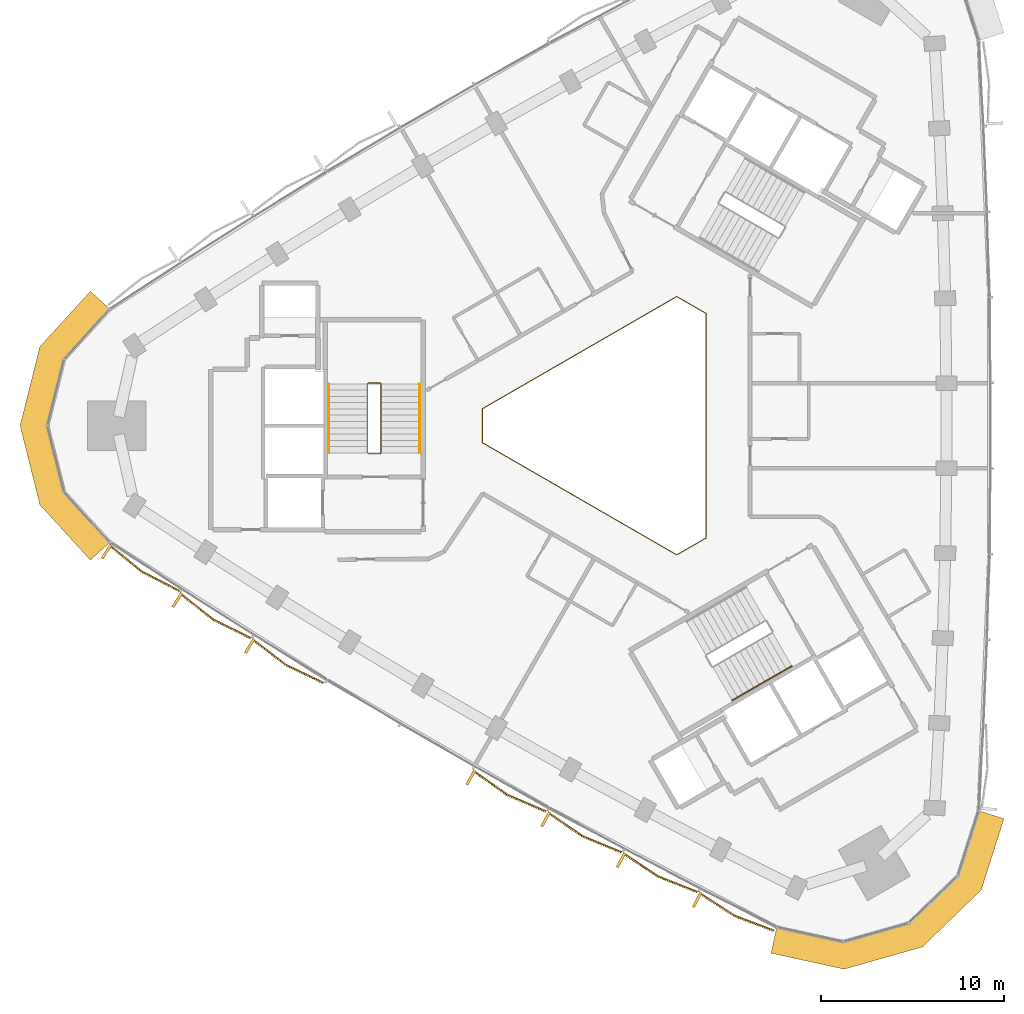
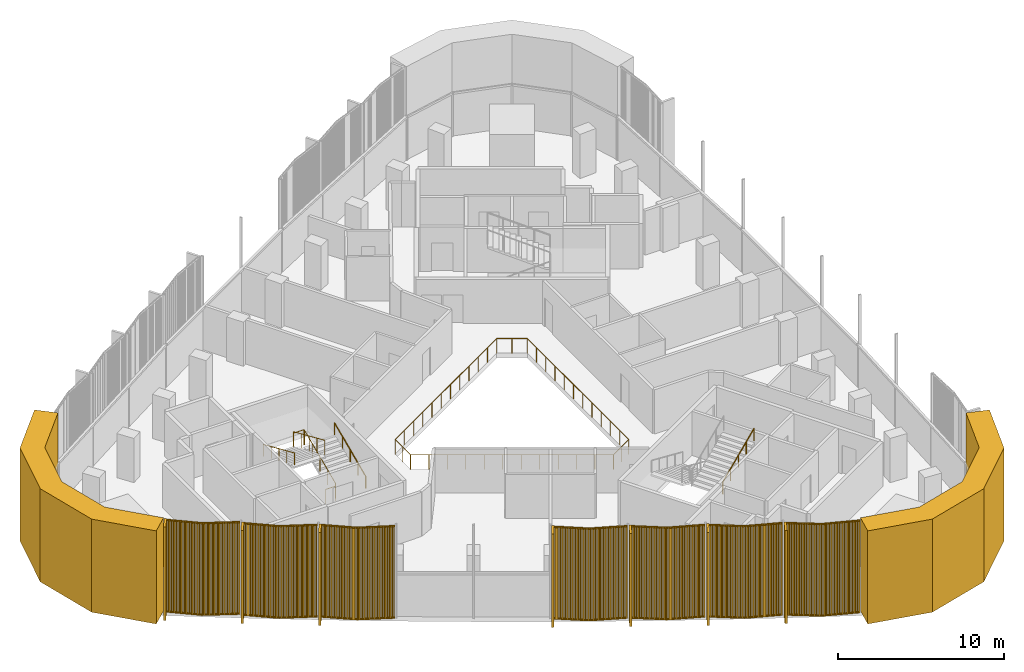
# One storey, part 11 of 13: 9 coverings, 5 railings.
"""IFC4 building model written with IfcOpenShell, lengths in metres."""

from ifc_helpers import new_model, si_unit, direction, frame, frame_2d, origin, origin_2d, place, context, subcontext, project, spatial, polyline, rectangle, circle, outline, extrude, source, transform, mapped, material, layer, layer_set, type_object, element, save


model = new_model("IFC4")

# Units and contexts
model_context = context("Model", 3, precision=1e-05, world=origin(), true_north=direction((0.0, 1.0)))
body_context = subcontext(model_context, "Body", "Model", "MODEL_VIEW")
ifc_project = project(units=[si_unit("LENGTHUNIT", "METRE"), si_unit("AREAUNIT", "SQUARE_METRE"), si_unit("VOLUMEUNIT", "CUBIC_METRE"), si_unit("PLANEANGLEUNIT", "RADIAN"), si_unit("MASSUNIT", "GRAM", prefix="KILO")], contexts=[model_context])

# Site, building, storey
site_placement = place(None, origin())
site = spatial("IfcSite", under=ifc_project, at=site_placement, CompositionType="ELEMENT")
building_placement = place(site_placement, origin())
building = spatial("IfcBuilding", under=site, at=building_placement, Name="Tamra Quay Hotel Tower", CompositionType="ELEMENT")
storey_placement = place(building_placement, frame((0.0, 0.0, 186.39990234375)))
storey = spatial("IfcBuildingStorey", under=building, at=storey_placement, Name="L46", CompositionType="ELEMENT", Elevation=186.39990234375)

# Coverings
ifc_material_1 = material(Name="Precast concrete M60 terracotta-coloured", Category="masonry")
ifc_layer = layer(ifc_material_1, 1.449951171875)
ifc_layer_set = layer_set([ifc_layer], Name="CORNER PIER PANEL")
covering_type_1 = type_object("IfcCoveringType", Name="CORNER PIER PANEL", PredefinedType="CLADDING", material=ifc_layer_set)
covering_1_placement = place(storey_placement, origin())
element("IfcCovering", 1, at=covering_1_placement, inside=storey, type_object=covering_type_1, Name="Corner pier L46.north-west", PredefinedType="CLADDING", context=body_context, shape_type="SweptSolid", body=[
    extrude(outline(polyline([(-27.928955078125, 6.36376953125), (-29.000732421875, 7.34033203125), (-31.754150390625, 4.318359375), (-32.83984375, 0.0), (-31.754150390625, -4.318359375), (-29.000732421875, -7.34033203125), (-27.928955078125, -6.36376953125), (-30.436767578125, -3.611083984375), (-31.3447265625, 0.0), (-30.436767578125, 3.611083984375), (-27.928955078125, 6.36376953125)])), origin(), (0.0, 0.0, 1.0), 6.85009765625),
])
covering_2_placement = place(storey_placement, origin())
element("IfcCovering", 2, at=covering_2_placement, inside=storey, type_object=covering_type_1, Name="Corner pier L46.south-west", PredefinedType="CLADDING", context=body_context, shape_type="SweptSolid", body=[
    extrude(outline(polyline([(8.453369140625, -27.369140625), (8.1435546875, -28.78564453125), (12.13720703125, -29.6591796875), (16.419921875, -28.440185546875), (19.616943359375, -25.3408203125), (20.857421875, -21.4453125), (19.4755859375, -21.00537109375), (18.345703125, -24.553466796875), (15.67236328125, -27.1455078125), (12.091064453125, -28.164794921875), (8.453369140625, -27.369140625)])), origin(), (0.0, 0.0, 1.0), 6.85009765625),
])

# Railings
ifc_material_2 = material(Name="Guard atrium edge 1100")
railing_type_1 = type_object("IfcRailingType", Name="Guard atrium edge 1100", PredefinedType="GUARDRAIL", material=ifc_material_2)
railing_1_placement = place(storey_placement, frame((4.60009765625, -6.1201171875, 0.0)))
element("IfcRailing", 3, at=railing_1_placement, inside=storey, type_object=railing_type_1, Name="G-A", PredefinedType="GUARDRAIL", context=body_context, shape_type="SweptSolid", body=[
    extrude(circle(Radius=0.02392578125, at=origin_2d()), frame((0.0, 0.0, 1.076171875), z_axis=(-0.86602275259, -0.500004591975, 0.0), x_axis=(0.500004591975, -0.86602275259, 0.0)), (0.0, 0.0, 1.0), 1.84765625),
    extrude(circle(Radius=0.02392578125, at=origin_2d()), frame((-1.60009765625, -0.923828125, 1.076171875), z_axis=(-0.866028806638, 0.499994106039, 0.0), x_axis=(-0.499994106039, -0.866028806638, 0.0)), (0.0, 0.0, 1.0), 12.239990234375),
    extrude(circle(Radius=0.02392578125, at=origin_2d()), frame((-12.2001953125, 5.196044921875, 1.076171875), z_axis=(0.0, 1.0, 0.0), x_axis=(-1.0, 0.0, 0.0)), (0.0, 0.0, 1.0), 1.84814453125),
    extrude(circle(Radius=0.02392578125, at=origin_2d()), frame((-12.2001953125, 7.044189453125, 1.076171875), z_axis=(0.866028806638, 0.499994106039, 0.0), x_axis=(-0.499994106039, 0.866028806638, 0.0)), (0.0, 0.0, 1.0), 12.239990234375),
    extrude(circle(Radius=0.02392578125, at=origin_2d()), frame((-1.60009765625, 13.1640625, 1.076171875), z_axis=(0.86602275259, -0.500004591975, 0.0), x_axis=(0.500004591975, 0.86602275259, 0.0)), (0.0, 0.0, 1.0), 1.84765625),
    extrude(circle(Radius=0.02392578125, at=origin_2d()), frame((0.0, 12.240234375, 1.076171875), z_axis=(0.0, -1.0, 0.0), x_axis=(1.0, 0.0, 0.0)), (0.0, 0.0, 1.0), 12.240234375),
    extrude(circle(Radius=0.02099609375, at=origin_2d()), origin(), (0.0, 0.0, 1.0), 1.052001953125),
    extrude(circle(Radius=0.02099609375, at=origin_2d()), frame((-0.800048828125, -0.4619140625, 0.0)), (0.0, 0.0, 1.0), 1.052001953125),
    extrude(circle(Radius=0.02099609375, at=origin_2d()), frame((-1.60009765625, -0.923828125, 0.0)), (0.0, 0.0, 1.0), 1.052001953125),
    extrude(circle(Radius=0.02099609375, at=origin_2d()), frame((-2.563720703125, -0.367431640625, 0.0)), (0.0, 0.0, 1.0), 1.052001953125),
    extrude(circle(Radius=0.02099609375, at=origin_2d()), frame((-3.52734375, 0.18896484375, 0.0)), (0.0, 0.0, 1.0), 1.052001953125),
    extrude(circle(Radius=0.02099609375, at=origin_2d()), frame((-4.490966796875, 0.7451171875, 0.0)), (0.0, 0.0, 1.0), 1.052001953125),
    extrude(circle(Radius=0.02099609375, at=origin_2d()), frame((-5.45458984375, 1.301513671875, 0.0)), (0.0, 0.0, 1.0), 1.052001953125),
    extrude(circle(Radius=0.02099609375, at=origin_2d()), frame((-6.418212890625, 1.85791015625, 0.0)), (0.0, 0.0, 1.0), 1.052001953125),
    extrude(circle(Radius=0.02099609375, at=origin_2d()), frame((-7.382080078125, 2.414306640625, 0.0)), (0.0, 0.0, 1.0), 1.052001953125),
    extrude(circle(Radius=0.02099609375, at=origin_2d()), frame((-8.345703125, 2.970703125, 0.0)), (0.0, 0.0, 1.0), 1.052001953125),
    extrude(circle(Radius=0.02099609375, at=origin_2d()), frame((-9.309326171875, 3.527099609375, 0.0)), (0.0, 0.0, 1.0), 1.052001953125),
    extrude(circle(Radius=0.02099609375, at=origin_2d()), frame((-10.27294921875, 4.083251953125, 0.0)), (0.0, 0.0, 1.0), 1.052001953125),
    extrude(circle(Radius=0.02099609375, at=origin_2d()), frame((-11.236572265625, 4.6396484375, 0.0)), (0.0, 0.0, 1.0), 1.052001953125),
    extrude(circle(Radius=0.02099609375, at=origin_2d()), frame((-12.2001953125, 5.196044921875, 0.0)), (0.0, 0.0, 1.0), 1.052001953125),
    extrude(circle(Radius=0.02099609375, at=origin_2d()), frame((-12.2001953125, 6.1201171875, 0.0)), (0.0, 0.0, 1.0), 1.052001953125),
    extrude(circle(Radius=0.02099609375, at=origin_2d()), frame((-12.2001953125, 7.044189453125, 0.0)), (0.0, 0.0, 1.0), 1.052001953125),
    extrude(circle(Radius=0.02099609375, at=origin_2d()), frame((-11.236572265625, 7.6005859375, 0.0)), (0.0, 0.0, 1.0), 1.052001953125),
    extrude(circle(Radius=0.02099609375, at=origin_2d()), frame((-10.27294921875, 8.156982421875, 0.0)), (0.0, 0.0, 1.0), 1.052001953125),
    extrude(circle(Radius=0.02099609375, at=origin_2d()), frame((-9.309326171875, 8.713134765625, 0.0)), (0.0, 0.0, 1.0), 1.052001953125),
    extrude(circle(Radius=0.02099609375, at=origin_2d()), frame((-8.345703125, 9.26953125, 0.0)), (0.0, 0.0, 1.0), 1.052001953125),
    extrude(circle(Radius=0.02099609375, at=origin_2d()), frame((-7.382080078125, 9.825927734375, 0.0)), (0.0, 0.0, 1.0), 1.052001953125),
    extrude(circle(Radius=0.02099609375, at=origin_2d()), frame((-6.418212890625, 10.38232421875, 0.0)), (0.0, 0.0, 1.0), 1.052001953125),
    extrude(circle(Radius=0.02099609375, at=origin_2d()), frame((-5.45458984375, 10.938720703125, 0.0)), (0.0, 0.0, 1.0), 1.052001953125),
    extrude(circle(Radius=0.02099609375, at=origin_2d()), frame((-4.490966796875, 11.4951171875, 0.0)), (0.0, 0.0, 1.0), 1.052001953125),
    extrude(circle(Radius=0.02099609375, at=origin_2d()), frame((-3.52734375, 12.05126953125, 0.0)), (0.0, 0.0, 1.0), 1.052001953125),
    extrude(circle(Radius=0.02099609375, at=origin_2d()), frame((-2.563720703125, 12.607666015625, 0.0)), (0.0, 0.0, 1.0), 1.052001953125),
    extrude(circle(Radius=0.02099609375, at=origin_2d()), frame((-1.60009765625, 13.1640625, 0.0)), (0.0, 0.0, 1.0), 1.052001953125),
    extrude(circle(Radius=0.02099609375, at=origin_2d()), frame((-0.800048828125, 12.7021484375, 0.0)), (0.0, 0.0, 1.0), 1.052001953125),
    extrude(circle(Radius=0.02099609375, at=origin_2d()), frame((0.0, 12.240234375, 0.0)), (0.0, 0.0, 1.0), 1.052001953125),
    extrude(circle(Radius=0.02099609375, at=origin_2d()), frame((0.0, 11.12744140625, 0.0)), (0.0, 0.0, 1.0), 1.052001953125),
    extrude(circle(Radius=0.02099609375, at=origin_2d()), frame((0.0, 10.0146484375, 0.0)), (0.0, 0.0, 1.0), 1.052001953125),
    extrude(circle(Radius=0.02099609375, at=origin_2d()), frame((0.0, 8.902099609375, 0.0)), (0.0, 0.0, 1.0), 1.052001953125),
    extrude(circle(Radius=0.02099609375, at=origin_2d()), frame((0.0, 7.789306640625, 0.0)), (0.0, 0.0, 1.0), 1.052001953125),
    extrude(circle(Radius=0.02099609375, at=origin_2d()), frame((0.0, 6.676513671875, 0.0)), (0.0, 0.0, 1.0), 1.052001953125),
    extrude(circle(Radius=0.02099609375, at=origin_2d()), frame((0.0, 5.563720703125, 0.0)), (0.0, 0.0, 1.0), 1.052001953125),
    extrude(circle(Radius=0.02099609375, at=origin_2d()), frame((0.0, 4.450927734375, 0.0)), (0.0, 0.0, 1.0), 1.052001953125),
    extrude(circle(Radius=0.02099609375, at=origin_2d()), frame((0.0, 3.338134765625, 0.0)), (0.0, 0.0, 1.0), 1.052001953125),
    extrude(circle(Radius=0.02099609375, at=origin_2d()), frame((0.0, 2.2255859375, 0.0)), (0.0, 0.0, 1.0), 1.052001953125),
    extrude(circle(Radius=0.02099609375, at=origin_2d()), frame((0.0, 1.11279296875, 0.0)), (0.0, 0.0, 1.0), 1.052001953125),
])
ifc_material_3 = material(Name="Stair guard 1100")
railing_type_2 = type_object("IfcRailingType", Name="Stair guard 1100", PredefinedType="GUARDRAIL", material=ifc_material_3)
railing_2_placement = place(storey_placement, frame((-13.84130859375, -1.530029296875, 0.0)))
element("IfcRailing", 4, at=railing_2_placement, inside=storey, type_object=railing_type_2, Name="GR", PredefinedType="GUARDRAIL", context=body_context, shape_type="SweptSolid", body=[
    extrude(circle(Radius=0.02392578125, at=origin_2d()), frame((0.0, 0.0, 1.076171875), z_axis=(1.0, 0.0, 0.0), x_axis=(0.0, 1.0, 0.0)), (0.0, 0.0, 1.0), 0.658935546875),
    extrude(circle(Radius=0.02392578125, at=origin_2d()), frame((0.658935546875, 0.0, 1.076171875), z_axis=(0.301511344578, 0.301511344578, 0.904534033733), x_axis=(-0.707106781187, 0.707106781187, 0.0)), (0.0, 0.0, 1.0), 0.166015625),
    extrude(circle(Radius=0.02392578125, at=origin_2d()), frame((0.708984375, 0.050048828125, 1.22607421875), z_axis=(0.0, 0.915795495799, 0.401644880304), x_axis=(-1.0, 0.0, 0.0)), (0.0, 0.0, 1.0), 4.10791015625),
    extrude(circle(Radius=0.02392578125, at=origin_2d()), frame((0.708984375, 3.81201171875, 2.8759765625), z_axis=(-0.708833529934, 0.705375805398, 0.0), x_axis=(-0.705375805398, -0.708833529934, 0.0)), (0.0, 0.0, 1.0), 0.070556640625),
    extrude(circle(Radius=0.02392578125, at=origin_2d()), frame((0.658935546875, 3.86181640625, 2.8759765625), z_axis=(-1.0, 0.0, 0.0), x_axis=(0.0, -1.0, 0.0)), (0.0, 0.0, 1.0), 0.658935546875),
    extrude(circle(Radius=0.02392578125, at=origin_2d()), frame((0.0, 3.86181640625, 2.8759765625), z_axis=(-0.301644814947, -0.300173376825, 0.904934444842), x_axis=(0.705375805398, -0.708833529934, 0.0)), (0.0, 0.0, 1.0), 0.166015625),
    extrude(circle(Radius=0.02392578125, at=origin_2d()), frame((-0.050048828125, 3.81201171875, 3.0263671875), z_axis=(0.0, -0.915795495799, 0.401644880304), x_axis=(1.0, 0.0, 0.0)), (0.0, 0.0, 1.0), 4.10791015625),
    extrude(circle(Radius=0.02099609375, at=origin_2d()), origin(), (0.0, 0.0, 1.0), 1.052001953125),
    extrude(circle(Radius=0.02099609375, at=origin_2d()), frame((0.658935546875, 0.0, 0.0)), (0.0, 0.0, 1.0), 1.052001953125),
    extrude(circle(Radius=0.02099609375, at=origin_2d()), frame((0.708984375, 0.050048828125, 0.150146484375)), (0.0, 0.0, 1.0), 1.052001953125),
    extrude(circle(Radius=0.02099609375, at=origin_2d()), frame((0.708984375, 0.990478515625, 0.5625)), (0.0, 0.0, 1.0), 1.052001953125),
    extrude(circle(Radius=0.02099609375, at=origin_2d()), frame((0.708984375, 1.93115234375, 0.97509765625)), (0.0, 0.0, 1.0), 1.052001953125),
    extrude(circle(Radius=0.02099609375, at=origin_2d()), frame((0.708984375, 2.87158203125, 1.3876953125)), (0.0, 0.0, 1.0), 1.052001953125),
    extrude(circle(Radius=0.02099609375, at=origin_2d()), frame((0.708984375, 3.81201171875, 1.800048828125)), (0.0, 0.0, 1.0), 1.052001953125),
    extrude(circle(Radius=0.02099609375, at=origin_2d()), frame((0.658935546875, 3.86181640625, 1.800048828125)), (0.0, 0.0, 1.0), 1.052001953125),
    extrude(circle(Radius=0.02099609375, at=origin_2d()), frame((0.0, 3.86181640625, 1.800048828125)), (0.0, 0.0, 1.0), 1.052001953125),
    extrude(circle(Radius=0.02099609375, at=origin_2d()), frame((-0.050048828125, 3.81201171875, 1.9501953125)), (0.0, 0.0, 1.0), 1.052001953125),
    extrude(circle(Radius=0.02099609375, at=origin_2d()), frame((-0.050048828125, 2.87158203125, 2.36279296875)), (0.0, 0.0, 1.0), 1.052001953125),
    extrude(circle(Radius=0.02099609375, at=origin_2d()), frame((-0.050048828125, 1.93115234375, 2.775146484375)), (0.0, 0.0, 1.0), 1.052001953125),
    extrude(circle(Radius=0.02099609375, at=origin_2d()), frame((-0.050048828125, 0.990478515625, 3.1875)), (0.0, 0.0, 1.0), 1.052001953125),
    extrude(circle(Radius=0.02099609375, at=origin_2d()), frame((-0.050048828125, 0.050048828125, 3.60009765625)), (0.0, 0.0, 1.0), 1.052001953125),
])
ifc_material_4 = material(Name="Stair handrail 900")
railing_type_3 = type_object("IfcRailingType", Name="Stair handrail 900", PredefinedType="HANDRAIL", material=ifc_material_4)
railing_3_placement = place(storey_placement, frame((-11.0322265625, -1.47998046875, 0.150146484375)))
element("IfcRailing", 5, at=railing_3_placement, inside=storey, type_object=railing_type_3, Name="HR", PredefinedType="HANDRAIL", context=body_context, shape_type="SweptSolid", body=[
    extrude(circle(Radius=0.02392578125, at=origin_2d()), frame((0.0, 0.0, 0.8759765625), z_axis=(0.0, 0.915795495799, 0.401644880304), x_axis=(-1.0, 0.0, 0.0)), (0.0, 0.0, 1.0), 4.10791015625),
    extrude(circle(Radius=0.02099609375, at=origin_2d()), origin(), (0.0, 0.0, 1.0), 0.851806640625),
    extrude(circle(Radius=0.02099609375, at=origin_2d()), frame((0.0, 0.9404296875, 0.41259765625)), (0.0, 0.0, 1.0), 0.851806640625),
    extrude(circle(Radius=0.02099609375, at=origin_2d()), frame((0.0, 1.880859375, 0.824951171875)), (0.0, 0.0, 1.0), 0.851806640625),
    extrude(circle(Radius=0.02099609375, at=origin_2d()), frame((0.0, 2.821533203125, 1.2373046875)), (0.0, 0.0, 1.0), 0.851806640625),
    extrude(circle(Radius=0.02099609375, at=origin_2d()), frame((0.0, 3.761962890625, 1.64990234375)), (0.0, 0.0, 1.0), 0.851806640625),
])
railing_4_placement = place(storey_placement, frame((-15.9912109375, 2.281982421875, 1.9501953125)))
element("IfcRailing", 6, at=railing_4_placement, inside=storey, type_object=railing_type_3, Name="HR", PredefinedType="HANDRAIL", context=body_context, shape_type="SweptSolid", body=[
    extrude(circle(Radius=0.02392578125, at=origin_2d()), frame((0.0, 0.0, 0.8759765625), z_axis=(0.0, -0.915795495799, 0.401644880304), x_axis=(1.0, 0.0, 0.0)), (0.0, 0.0, 1.0), 4.10791015625),
    extrude(circle(Radius=0.02099609375, at=origin_2d()), origin(), (0.0, 0.0, 1.0), 0.851806640625),
    extrude(circle(Radius=0.02099609375, at=origin_2d()), frame((0.0, -0.9404296875, 0.41259765625)), (0.0, 0.0, 1.0), 0.851806640625),
    extrude(circle(Radius=0.02099609375, at=origin_2d()), frame((0.0, -1.880859375, 0.824951171875)), (0.0, 0.0, 1.0), 0.851806640625),
    extrude(circle(Radius=0.02099609375, at=origin_2d()), frame((0.0, -2.821533203125, 1.2373046875)), (0.0, 0.0, 1.0), 0.851806640625),
    extrude(circle(Radius=0.02099609375, at=origin_2d()), frame((0.0, -3.761962890625, 1.64990234375)), (0.0, 0.0, 1.0), 0.851806640625),
])
railing_5_placement = place(storey_placement, frame((6.01953125, -14.98974609375, 1.9501953125)))
element("IfcRailing", 7, at=railing_5_placement, inside=storey, type_object=railing_type_3, Name="HR", PredefinedType="HANDRAIL", context=body_context, shape_type="SweptSolid", body=[
    extrude(circle(Radius=0.02392578125, at=origin_2d()), frame((0.0, 0.0, 0.8759765625), z_axis=(0.79310004713, 0.457886897714, 0.401661429744), x_axis=(-0.499992114976, 0.866029956157, 0.0)), (0.0, 0.0, 1.0), 4.107666015625),
    extrude(circle(Radius=0.02099609375, at=origin_2d()), origin(), (0.0, 0.0, 1.0), 0.851806640625),
    extrude(circle(Radius=0.02099609375, at=origin_2d()), frame((0.814453125, 0.47021484375, 0.41259765625)), (0.0, 0.0, 1.0), 0.851806640625),
    extrude(circle(Radius=0.02099609375, at=origin_2d()), frame((1.62890625, 0.9404296875, 0.824951171875)), (0.0, 0.0, 1.0), 0.851806640625),
    extrude(circle(Radius=0.02099609375, at=origin_2d()), frame((2.443359375, 1.41064453125, 1.2373046875)), (0.0, 0.0, 1.0), 0.851806640625),
    extrude(circle(Radius=0.02099609375, at=origin_2d()), frame((3.2578125, 1.880859375, 1.64990234375)), (0.0, 0.0, 1.0), 0.851806640625),
])

# Coverings
ifc_material_5 = material(Name="Terracotta baguette extruded", Category="masonry")
covering_type_2 = type_object("IfcCoveringType", Name="BAGUETTE SCREEN SW-V H6850", PredefinedType="USERDEFINED", material=ifc_material_5)
shared_shape = source(origin(), body_context, "Body", "SweptSolid", [
    extrude(rectangle(XDim=2.30517578125, YDim=0.06005859375, at=frame_2d((1.152587890625, 0.030029296875))), frame((-2.298828125, -0.0576171875, -0.1201171875), z_axis=(0.0, 0.0, 1.0), x_axis=(0.994521895368, -0.104528463268, 0.0)), (0.0, 0.0, 1.0), 0.1201171875),
    extrude(rectangle(XDim=2.30517578125, YDim=0.06005859375, at=frame_2d((1.152587890625, 0.030029296875))), frame((-2.298828125, -0.0576171875, -6.85009765625), z_axis=(0.0, 0.0, 1.0), x_axis=(0.994521895368, -0.104528463268, 0.0)), (0.0, 0.0, 1.0), 0.1201171875),
    extrude(rectangle(XDim=0.070068359375, YDim=0.10009765625, at=frame_2d((0.03515625, 0.050048828125))), frame((-2.277587890625, -0.13330078125, -6.7900390625)), (0.0, 0.0, 1.0), 6.72998046875),
    extrude(rectangle(XDim=0.070068359375, YDim=0.10009765625, at=frame_2d((0.03515625, 0.050048828125))), frame((-2.177978515625, -0.143798828125, -6.7900390625)), (0.0, 0.0, 1.0), 6.72998046875),
    extrude(rectangle(XDim=0.070068359375, YDim=0.10009765625, at=frame_2d((0.03515625, 0.050048828125))), frame((-2.078369140625, -0.154296875, -6.7900390625)), (0.0, 0.0, 1.0), 6.72998046875),
    extrude(rectangle(XDim=0.070068359375, YDim=0.10009765625, at=frame_2d((0.03515625, 0.050048828125))), frame((-1.978759765625, -0.16455078125, -6.7900390625)), (0.0, 0.0, 1.0), 6.72998046875),
    extrude(rectangle(XDim=0.070068359375, YDim=0.10009765625, at=frame_2d((0.03515625, 0.050048828125))), frame((-1.87890625, -0.175048828125, -6.7900390625)), (0.0, 0.0, 1.0), 6.72998046875),
    extrude(rectangle(XDim=0.070068359375, YDim=0.10009765625, at=frame_2d((0.03515625, 0.050048828125))), frame((-1.779296875, -0.185546875, -6.7900390625)), (0.0, 0.0, 1.0), 6.72998046875),
    extrude(rectangle(XDim=0.070068359375, YDim=0.10009765625, at=frame_2d((0.03515625, 0.050048828125))), frame((-1.6796875, -0.196044921875, -6.7900390625)), (0.0, 0.0, 1.0), 6.72998046875),
    extrude(rectangle(XDim=0.070068359375, YDim=0.10009765625, at=frame_2d((0.03515625, 0.050048828125))), frame((-1.579833984375, -0.20654296875, -6.7900390625)), (0.0, 0.0, 1.0), 6.72998046875),
    extrude(rectangle(XDim=0.070068359375, YDim=0.10009765625, at=frame_2d((0.03515625, 0.050048828125))), frame((-1.480224609375, -0.217041015625, -6.7900390625)), (0.0, 0.0, 1.0), 6.72998046875),
    extrude(rectangle(XDim=0.070068359375, YDim=0.10009765625, at=frame_2d((0.03515625, 0.050048828125))), frame((-1.380615234375, -0.2275390625, -6.7900390625)), (0.0, 0.0, 1.0), 6.72998046875),
    extrude(rectangle(XDim=0.070068359375, YDim=0.10009765625, at=frame_2d((0.03515625, 0.050048828125))), frame((-1.281005859375, -0.238037109375, -6.7900390625)), (0.0, 0.0, 1.0), 6.72998046875),
    extrude(rectangle(XDim=0.070068359375, YDim=0.10009765625, at=frame_2d((0.03515625, 0.050048828125))), frame((-1.18115234375, -0.24853515625, -6.7900390625)), (0.0, 0.0, 1.0), 6.72998046875),
    extrude(rectangle(XDim=0.070068359375, YDim=0.10009765625, at=frame_2d((0.03515625, 0.050048828125))), frame((-1.08154296875, -0.259033203125, -6.7900390625)), (0.0, 0.0, 1.0), 6.72998046875),
    extrude(rectangle(XDim=0.070068359375, YDim=0.10009765625, at=frame_2d((0.03515625, 0.050048828125))), frame((-0.98193359375, -0.26953125, -6.7900390625)), (0.0, 0.0, 1.0), 6.72998046875),
    extrude(rectangle(XDim=0.070068359375, YDim=0.10009765625, at=frame_2d((0.03515625, 0.050048828125))), frame((-0.88232421875, -0.27978515625, -6.7900390625)), (0.0, 0.0, 1.0), 6.72998046875),
    extrude(rectangle(XDim=0.070068359375, YDim=0.10009765625, at=frame_2d((0.03515625, 0.050048828125))), frame((-0.782470703125, -0.290283203125, -6.7900390625)), (0.0, 0.0, 1.0), 6.72998046875),
    extrude(rectangle(XDim=0.070068359375, YDim=0.10009765625, at=frame_2d((0.03515625, 0.050048828125))), frame((-0.682861328125, -0.30078125, -6.7900390625)), (0.0, 0.0, 1.0), 6.72998046875),
    extrude(rectangle(XDim=0.070068359375, YDim=0.10009765625, at=frame_2d((0.03515625, 0.050048828125))), frame((-0.583251953125, -0.311279296875, -6.7900390625)), (0.0, 0.0, 1.0), 6.72998046875),
    extrude(rectangle(XDim=0.070068359375, YDim=0.10009765625, at=frame_2d((0.03515625, 0.050048828125))), frame((-0.483642578125, -0.32177734375, -6.7900390625)), (0.0, 0.0, 1.0), 6.72998046875),
    extrude(rectangle(XDim=0.070068359375, YDim=0.10009765625, at=frame_2d((0.03515625, 0.050048828125))), frame((-0.3837890625, -0.332275390625, -6.7900390625)), (0.0, 0.0, 1.0), 6.72998046875),
    extrude(rectangle(XDim=0.070068359375, YDim=0.10009765625, at=frame_2d((0.03515625, 0.050048828125))), frame((-0.2841796875, -0.3427734375, -6.7900390625)), (0.0, 0.0, 1.0), 6.72998046875),
    extrude(rectangle(XDim=0.070068359375, YDim=0.10009765625, at=frame_2d((0.03515625, 0.050048828125))), frame((-0.1845703125, -0.353271484375, -6.7900390625)), (0.0, 0.0, 1.0), 6.72998046875),
    extrude(rectangle(XDim=0.070068359375, YDim=0.10009765625, at=frame_2d((0.03515625, 0.050048828125))), frame((-0.0849609375, -0.36376953125, -6.7900390625)), (0.0, 0.0, 1.0), 6.72998046875),
    extrude(rectangle(XDim=2.30517578125, YDim=0.06005859375, at=frame_2d((1.152587890625, 0.030029296875))), frame((0.00634765625, -0.298583984375, -0.1201171875), z_axis=(0.0, 0.0, 1.0), x_axis=(0.994521895368, 0.104528463268, 0.0)), (0.0, 0.0, 1.0), 0.1201171875),
    extrude(rectangle(XDim=2.30517578125, YDim=0.06005859375, at=frame_2d((1.152587890625, 0.030029296875))), frame((0.00634765625, -0.298583984375, -6.85009765625), z_axis=(0.0, 0.0, 1.0), x_axis=(0.994521895368, 0.104528463268, 0.0)), (0.0, 0.0, 1.0), 0.1201171875),
    extrude(rectangle(XDim=0.070068359375, YDim=0.10009765625, at=frame_2d((0.03515625, 0.050048828125))), frame((0.014892578125, -0.36376953125, -6.7900390625)), (0.0, 0.0, 1.0), 6.72998046875),
    extrude(rectangle(XDim=0.070068359375, YDim=0.10009765625, at=frame_2d((0.03515625, 0.050048828125))), frame((0.114501953125, -0.353271484375, -6.7900390625)), (0.0, 0.0, 1.0), 6.72998046875),
    extrude(rectangle(XDim=0.070068359375, YDim=0.10009765625, at=frame_2d((0.03515625, 0.050048828125))), frame((0.214111328125, -0.3427734375, -6.7900390625)), (0.0, 0.0, 1.0), 6.72998046875),
    extrude(rectangle(XDim=0.070068359375, YDim=0.10009765625, at=frame_2d((0.03515625, 0.050048828125))), frame((0.31396484375, -0.332275390625, -6.7900390625)), (0.0, 0.0, 1.0), 6.72998046875),
    extrude(rectangle(XDim=0.070068359375, YDim=0.10009765625, at=frame_2d((0.03515625, 0.050048828125))), frame((0.41357421875, -0.32177734375, -6.7900390625)), (0.0, 0.0, 1.0), 6.72998046875),
    extrude(rectangle(XDim=0.070068359375, YDim=0.10009765625, at=frame_2d((0.03515625, 0.050048828125))), frame((0.51318359375, -0.311279296875, -6.7900390625)), (0.0, 0.0, 1.0), 6.72998046875),
    extrude(rectangle(XDim=0.070068359375, YDim=0.10009765625, at=frame_2d((0.03515625, 0.050048828125))), frame((0.61279296875, -0.30078125, -6.7900390625)), (0.0, 0.0, 1.0), 6.72998046875),
    extrude(rectangle(XDim=0.070068359375, YDim=0.10009765625, at=frame_2d((0.03515625, 0.050048828125))), frame((0.712646484375, -0.290283203125, -6.7900390625)), (0.0, 0.0, 1.0), 6.72998046875),
    extrude(rectangle(XDim=0.070068359375, YDim=0.10009765625, at=frame_2d((0.03515625, 0.050048828125))), frame((0.812255859375, -0.27978515625, -6.7900390625)), (0.0, 0.0, 1.0), 6.72998046875),
    extrude(rectangle(XDim=0.070068359375, YDim=0.10009765625, at=frame_2d((0.03515625, 0.050048828125))), frame((0.911865234375, -0.26953125, -6.7900390625)), (0.0, 0.0, 1.0), 6.72998046875),
    extrude(rectangle(XDim=0.070068359375, YDim=0.10009765625, at=frame_2d((0.03515625, 0.050048828125))), frame((1.011474609375, -0.259033203125, -6.7900390625)), (0.0, 0.0, 1.0), 6.72998046875),
    extrude(rectangle(XDim=0.070068359375, YDim=0.10009765625, at=frame_2d((0.03515625, 0.050048828125))), frame((1.111328125, -0.24853515625, -6.7900390625)), (0.0, 0.0, 1.0), 6.72998046875),
    extrude(rectangle(XDim=0.070068359375, YDim=0.10009765625, at=frame_2d((0.03515625, 0.050048828125))), frame((1.2109375, -0.238037109375, -6.7900390625)), (0.0, 0.0, 1.0), 6.72998046875),
    extrude(rectangle(XDim=0.070068359375, YDim=0.10009765625, at=frame_2d((0.03515625, 0.050048828125))), frame((1.310546875, -0.2275390625, -6.7900390625)), (0.0, 0.0, 1.0), 6.72998046875),
    extrude(rectangle(XDim=0.070068359375, YDim=0.10009765625, at=frame_2d((0.03515625, 0.050048828125))), frame((1.41015625, -0.217041015625, -6.7900390625)), (0.0, 0.0, 1.0), 6.72998046875),
    extrude(rectangle(XDim=0.070068359375, YDim=0.10009765625, at=frame_2d((0.03515625, 0.050048828125))), frame((1.510009765625, -0.20654296875, -6.7900390625)), (0.0, 0.0, 1.0), 6.72998046875),
    extrude(rectangle(XDim=0.070068359375, YDim=0.10009765625, at=frame_2d((0.03515625, 0.050048828125))), frame((1.609619140625, -0.196044921875, -6.7900390625)), (0.0, 0.0, 1.0), 6.72998046875),
    extrude(rectangle(XDim=0.070068359375, YDim=0.10009765625, at=frame_2d((0.03515625, 0.050048828125))), frame((1.709228515625, -0.185546875, -6.7900390625)), (0.0, 0.0, 1.0), 6.72998046875),
    extrude(rectangle(XDim=0.070068359375, YDim=0.10009765625, at=frame_2d((0.03515625, 0.050048828125))), frame((1.80908203125, -0.175048828125, -6.7900390625)), (0.0, 0.0, 1.0), 6.72998046875),
    extrude(rectangle(XDim=0.070068359375, YDim=0.10009765625, at=frame_2d((0.03515625, 0.050048828125))), frame((1.90869140625, -0.16455078125, -6.7900390625)), (0.0, 0.0, 1.0), 6.72998046875),
    extrude(rectangle(XDim=0.070068359375, YDim=0.10009765625, at=frame_2d((0.03515625, 0.050048828125))), frame((2.00830078125, -0.154296875, -6.7900390625)), (0.0, 0.0, 1.0), 6.72998046875),
    extrude(rectangle(XDim=0.070068359375, YDim=0.10009765625, at=frame_2d((0.03515625, 0.050048828125))), frame((2.10791015625, -0.143798828125, -6.7900390625)), (0.0, 0.0, 1.0), 6.72998046875),
    extrude(rectangle(XDim=0.070068359375, YDim=0.10009765625, at=frame_2d((0.03515625, 0.050048828125))), frame((2.207763671875, -0.13330078125, -6.7900390625)), (0.0, 0.0, 1.0), 6.72998046875),
    extrude(rectangle(XDim=0.14990234375, YDim=0.902099609375, at=frame_2d((0.074951171875, 0.451171875))), frame((-2.29248046875, -0.89990234375, -6.85009765625)), (0.0, 0.0, 1.0), 6.85009765625),
])
for number, where, z_axis, x_axis, name in (
    (8, (-26.0224609375, -7.71533203125, 6.85009765625), (0.0, 0.0, 1.0), (0.836986459463, -0.547223598428, 0.0), "Baguette screen L46.SW.f00"),
    (9, (-22.142822265625, -10.32080078125, 6.85009765625), (0.0, 0.0, 1.0), (0.844476178502, -0.535593114167, 0.0), "Baguette screen L46.SW.f01"),
    (10, (-18.17919921875, -12.796142578125, 6.85009765625), (0.0, 0.0, 1.0), (0.851815012775, -0.523842709229, 0.0), "Baguette screen L46.SW.f02"),
    (11, (-6.0869140625, -19.89013671875, 6.85009765625), (0.0, 0.0, 1.0), (0.872885132113, -0.487925758836, 0.0), "Baguette screen L46.SW.f05"),
    (12, (-1.9921875, -22.141845703125, 6.85009765625), (0.0, 0.0, 1.0), (0.879568600166, -0.475772085773, 0.0), "Baguette screen L46.SW.f06"),
    (13, (2.13330078125, -24.336669921875, 6.85009765625), (0.0, 0.0, 1.0), (0.886075332211, -0.46354126639, 0.0), "Baguette screen L46.SW.f07"),
    (14, (6.2890625, -26.47412109375, 6.85009765625), (0.0, 0.0, 1.0), (0.89240276752, -0.451239737304, 0.0), "Baguette screen L46.SW.f08"),
):
    element("IfcCovering", number, at=place(storey_placement, frame(where, z_axis=z_axis, x_axis=x_axis)), inside=storey, type_object=covering_type_2, Name=name, ObjectType="BAGUETTE SCREEN", PredefinedType="USERDEFINED", context=body_context, shape_type="MappedRepresentation", body=[
        mapped(shared_shape, transform((0.0, 0.0, 0.0), scale=1.0)),
    ])

save(model, "model.ifc")
